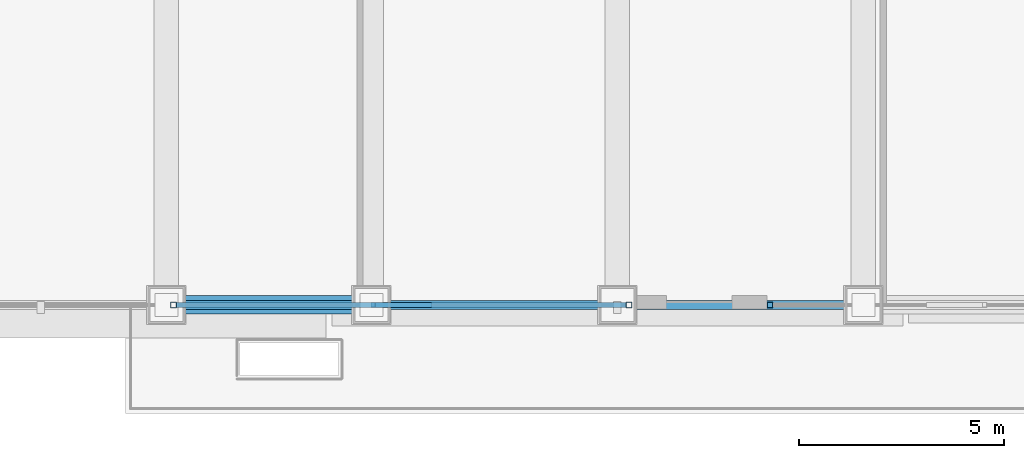
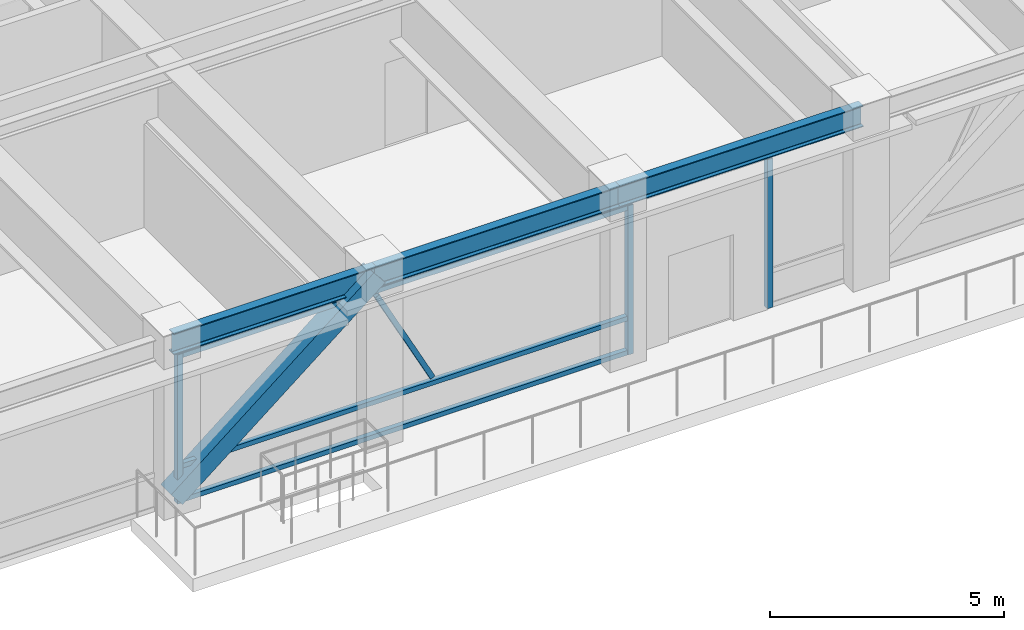
# One storey, part 4 of 31: 8 members, 3 beams, 2 elements without a shape of their own.
"""IFC4 building model written with IfcOpenShell, lengths in metres."""

from ifc_helpers import new_model, si_unit, direction, frame, origin, origin_2d, place, context, subcontext, project, spatial, hollow_rectangle, i_section, extrude, source, transform, mapped, material, material_profile, profile_set, type_object, element, aggregate, save


model = new_model("IFC4")

# Units and contexts
model_context = context("Model", 3, precision=1e-05, world=origin(), true_north=direction((0.0, 1.0)))
body_context = subcontext(model_context, "Body", "Model", "MODEL_VIEW")
ifc_project = project(units=[si_unit("LENGTHUNIT", "METRE"), si_unit("AREAUNIT", "SQUARE_METRE"), si_unit("VOLUMEUNIT", "CUBIC_METRE"), si_unit("PLANEANGLEUNIT", "RADIAN"), si_unit("MASSUNIT", "GRAM", prefix="KILO")], contexts=[model_context])

# Site, building, storey
site_placement = place(None, origin())
site = spatial("IfcSite", under=ifc_project, at=site_placement, CompositionType="ELEMENT")
building_placement = place(site_placement, origin())
building = spatial("IfcBuilding", under=site, at=building_placement, Name="Khorayat Bourse Tower", CompositionType="ELEMENT")
storey_placement = place(building_placement, frame((0.0, 0.0, 321.5)))
storey = spatial("IfcBuildingStorey", under=building, at=storey_placement, Name="L76", CompositionType="ELEMENT", Elevation=321.5)

# Beams
ifc_material_1 = material(Name="Steel ASTM A992 Grade 50", Category="steel")
ifc_material_profile_1 = material_profile(ifc_material_1, i_section(OverallWidth=0.214111328125, OverallDepth=0.549072265625, WebThickness=0.0146484375, FlangeThickness=0.023681640625, FilletRadius=0.013916015625, at=origin_2d()), Name="W530X138")
ifc_profile_set_1 = profile_set([ifc_material_profile_1], Name="Steel ASTM A992 Grade 50")
beam_type = type_object("IfcBeamType", Name="BM-SPAN-530", PredefinedType="SPANDREL", material=ifc_profile_set_1)
shared_shape_1 = source(origin(), body_context, "Body", "SweptSolid", [
    extrude(i_section(OverallWidth=0.214111328125, OverallDepth=0.549072265625, WebThickness=0.0146484375, FlangeThickness=0.023681640625, FilletRadius=0.013916015625, at=origin_2d()), origin(), (0.0, 0.0, 1.0), 5.0),
])
beam_placement = place(storey_placement, frame((-11.0, -28.0, 4.2255859375), z_axis=(1.0, 0.0, 0.0), x_axis=(0.0, 1.0, 0.0)))
element("IfcBeam", 1, at=beam_placement, inside=storey, type_object=beam_type, Name="L76 BM-SPAN-530 BM-L76-SPN-026", PredefinedType="SPANDREL", context=body_context, shape_type="MappedRepresentation", body=[
    mapped(shared_shape_1, transform((0.0, 0.0, 0.0), scale=1.0)),
])
shared_shape_2 = source(origin(), body_context, "Body", "SweptSolid", [
    extrude(i_section(OverallWidth=0.214111328125, OverallDepth=0.549072265625, WebThickness=0.0146484375, FlangeThickness=0.023681640625, FilletRadius=0.013916015625, at=origin_2d()), origin(), (0.0, 0.0, 1.0), 6.0),
])
for number, where, z_axis, x_axis, name in (
    (2, (-6.0, -28.0, 4.2255859375), (1.0, 0.0, 0.0), (0.0, 1.0, 0.0), "L76 BM-SPAN-530 BM-L76-SPN-027"),
    (3, (0.0, -28.0, 4.2255859375), (1.0, 0.0, 0.0), (0.0, 1.0, 0.0), "L76 BM-SPAN-530 BM-L76-SPN-028"),
):
    element("IfcBeam", number, at=place(storey_placement, frame(where, z_axis=z_axis, x_axis=x_axis)), inside=storey, type_object=beam_type, Name=name, PredefinedType="SPANDREL", context=body_context, shape_type="MappedRepresentation", body=[
        mapped(shared_shape_2, transform((0.0, 0.0, 0.0), scale=1.0)),
    ])

# Member
ifc_material_2 = material(Name="Steel EN 10025-4 S460M", Category="steel")
ifc_material_profile_2 = material_profile(ifc_material_2, hollow_rectangle(XDim=0.449951171875, YDim=0.449951171875, WallThickness=0.02490234375, at=origin_2d()), Name="HSS 450x450x25")
ifc_profile_set_2 = profile_set([ifc_material_profile_2], Name="Steel EN 10025-4 S460M")
member_type_1 = type_object("IfcMemberType", Name="MBR-TUBE-450", PredefinedType="BRACE", material=ifc_profile_set_2)
shared_shape_3 = source(origin(), body_context, "Body", "SweptSolid", [
    extrude(hollow_rectangle(XDim=0.449951171875, YDim=0.449951171875, WallThickness=0.02490234375, at=origin_2d()), origin(), (0.0, 0.0, 1.0), 6.42822265625),
])
member_1_placement = place(storey_placement, frame((-11.0, -28.0, 0.25), z_axis=(0.777821209127, 0.0, 0.628485613703), x_axis=(0.0, 1.0, 0.0)))
element("IfcMember", 4, at=member_1_placement, inside=storey, type_object=member_type_1, Name="L76 Perimeter Tube Brace 01", PredefinedType="BRACE", context=body_context, shape_type="MappedRepresentation", body=[
    mapped(shared_shape_3, transform((0.0, 0.0, 0.0), scale=1.0)),
])

# Curtain wall, members
ifc_material_3 = material(Name="Aluminium EN AW-6063 T6", Category="aluminium")
curtain_wall_type = type_object("IfcCurtainWallType", Name="CW-SYS-05", PredefinedType="NOTDEFINED", material=ifc_material_3)
curtain_wall_1_placement = place(storey_placement, origin())
curtain_wall_1 = element("IfcCurtainWall", 5, at=curtain_wall_1_placement, inside=storey, type_object=curtain_wall_type, Name="L76 Curtain Wall CW-L76-S1", PredefinedType="NOTDEFINED")
ifc_material_profile_3 = material_profile(ifc_material_3, hollow_rectangle(XDim=0.139892578125, YDim=0.139892578125, WallThickness=0.006103515625, at=origin_2d()), Name="ALU 140x140x6")
ifc_profile_set_3 = profile_set([ifc_material_profile_3], Name="Aluminium EN AW-6063 T6")
member_type_2 = type_object("IfcMemberType", Name="CWM-VERT-140", PredefinedType="MULLION", material=ifc_profile_set_3)
shared_shape_4 = source(origin(), body_context, "Body", "SweptSolid", [
    extrude(hollow_rectangle(XDim=0.139892578125, YDim=0.139892578125, WallThickness=0.006103515625, at=origin_2d()), origin(), (0.0, 0.0, 1.0), 3.889892578125),
])
member_2_placement = place(storey_placement, frame((-10.824951171875, -28.0, 0.0), z_axis=(0.0, 0.0, 1.0), x_axis=(0.0, 1.0, 0.0)))
member_2 = element("IfcMember", 6, at=member_2_placement, type_object=member_type_2, Name="CW-L76-S1 Vertical Mullion 2", PredefinedType="MULLION", context=body_context, shape_type="MappedRepresentation", body=[
    mapped(shared_shape_4, transform((0.0, 0.0, 0.0), scale=1.0)),
])
member_3_placement = place(storey_placement, frame((0.280029296875, -28.0, 0.0), z_axis=(0.0, 0.0, 1.0), x_axis=(0.0, 1.0, 0.0)))
member_3 = element("IfcMember", 7, at=member_3_placement, type_object=member_type_2, Name="CW-L76-S1 Vertical Mullion 3", PredefinedType="MULLION", context=body_context, shape_type="MappedRepresentation", body=[
    mapped(shared_shape_4, transform((0.0, 0.0, 0.0), scale=1.0)),
])

# Curtain wall, member
curtain_wall_2_placement = place(storey_placement, origin())
curtain_wall_2 = element("IfcCurtainWall", 8, at=curtain_wall_2_placement, inside=storey, type_object=curtain_wall_type, Name="L76 Curtain Wall CW-L76-S2", PredefinedType="NOTDEFINED")
member_4_placement = place(storey_placement, frame((3.719970703125, -28.0, 0.0), z_axis=(0.0, 0.0, 1.0), x_axis=(0.0, 1.0, 0.0)))
member_4 = element("IfcMember", 9, at=member_4_placement, type_object=member_type_2, Name="CW-L76-S2 Vertical Mullion 1", PredefinedType="MULLION", context=body_context, shape_type="MappedRepresentation", body=[
    mapped(shared_shape_4, transform((0.0, 0.0, 0.0), scale=1.0)),
])
aggregate(curtain_wall_2, [member_4])

# Member
ifc_material_profile_4 = material_profile(ifc_material_3, hollow_rectangle(XDim=0.1201171875, YDim=0.1201171875, WallThickness=0.0048828125, at=origin_2d()), Name="ALU 120x120x5")
ifc_profile_set_4 = profile_set([ifc_material_profile_4], Name="Aluminium EN AW-6063 T6")
member_type_3 = type_object("IfcMemberType", Name="CWM-DIAG-120", PredefinedType="MULLION", material=ifc_profile_set_4)
shared_shape_5 = source(origin(), body_context, "Body", "SweptSolid", [
    extrude(hollow_rectangle(XDim=0.1201171875, YDim=0.1201171875, WallThickness=0.0048828125, at=origin_2d()), origin(), (0.0, 0.0, 1.0), 2.93798828125),
])
member_5_placement = place(storey_placement, frame((-4.58837890625, -28.0, 1.090087890625), z_axis=(-0.465763557035, 0.0, 0.884909209432), x_axis=(0.0, -1.0, 0.0)))
member_5 = element("IfcMember", 10, at=member_5_placement, type_object=member_type_3, Name="CW-L76-S1 Faceted Diagonal Mullion 2", PredefinedType="MULLION", context=body_context, shape_type="MappedRepresentation", body=[
    mapped(shared_shape_5, transform((0.0, 0.0, 0.0), scale=1.0)),
])

ifc_material_profile_5 = material_profile(ifc_material_3, hollow_rectangle(XDim=0.1201171875, YDim=0.1201171875, WallThickness=0.0048828125, at=origin_2d()), Name="ALU 120x120x5")
ifc_profile_set_5 = profile_set([ifc_material_profile_5], Name="Aluminium EN AW-6063 T6")
member_type_4 = type_object("IfcMemberType", Name="CWT-HORZ-120", PredefinedType="USERDEFINED", material=ifc_profile_set_5)
shared_shape_6 = source(origin(), body_context, "Body", "SweptSolid", [
    extrude(hollow_rectangle(XDim=0.1201171875, YDim=0.1201171875, WallThickness=0.0048828125, at=origin_2d()), origin(), (0.0, 0.0, 1.0), 10.96484375),
])
member_6_placement = place(storey_placement, frame((-10.7548828125, -28.0, 0.06005859375), z_axis=(1.0, 0.0, 0.0), x_axis=(0.0, 1.0, 0.0)))
member_6 = element("IfcMember", 11, at=member_6_placement, type_object=member_type_4, Name="CW-L76-S1 Horizontal Transom 2-1", ObjectType="TRANSOM", PredefinedType="USERDEFINED", context=body_context, shape_type="MappedRepresentation", body=[
    mapped(shared_shape_6, transform((0.0, 0.0, 0.0), scale=1.0)),
])

member_7_placement = place(storey_placement, frame((-10.7548828125, -28.0, 0.949951171875), z_axis=(1.0, 0.0, 0.0), x_axis=(0.0, 1.0, 0.0)))
member_7 = element("IfcMember", 12, at=member_7_placement, type_object=member_type_4, Name="CW-L76-S1 Horizontal Transom 2-2", ObjectType="TRANSOM", PredefinedType="USERDEFINED", context=body_context, shape_type="MappedRepresentation", body=[
    mapped(shared_shape_6, transform((0.0, 0.0, 0.0), scale=1.0)),
])

member_8_placement = place(storey_placement, frame((-10.7548828125, -28.0, 3.830078125), z_axis=(1.0, 0.0, 0.0), x_axis=(0.0, 1.0, 0.0)))
member_8 = element("IfcMember", 13, at=member_8_placement, type_object=member_type_4, Name="CW-L76-S1 Horizontal Transom 2-3", ObjectType="TRANSOM", PredefinedType="USERDEFINED", context=body_context, shape_type="MappedRepresentation", body=[
    mapped(shared_shape_6, transform((0.0, 0.0, 0.0), scale=1.0)),
])

aggregate(curtain_wall_1, [member_2, member_3, member_6, member_7, member_8, member_5])

save(model, "model.ifc")
